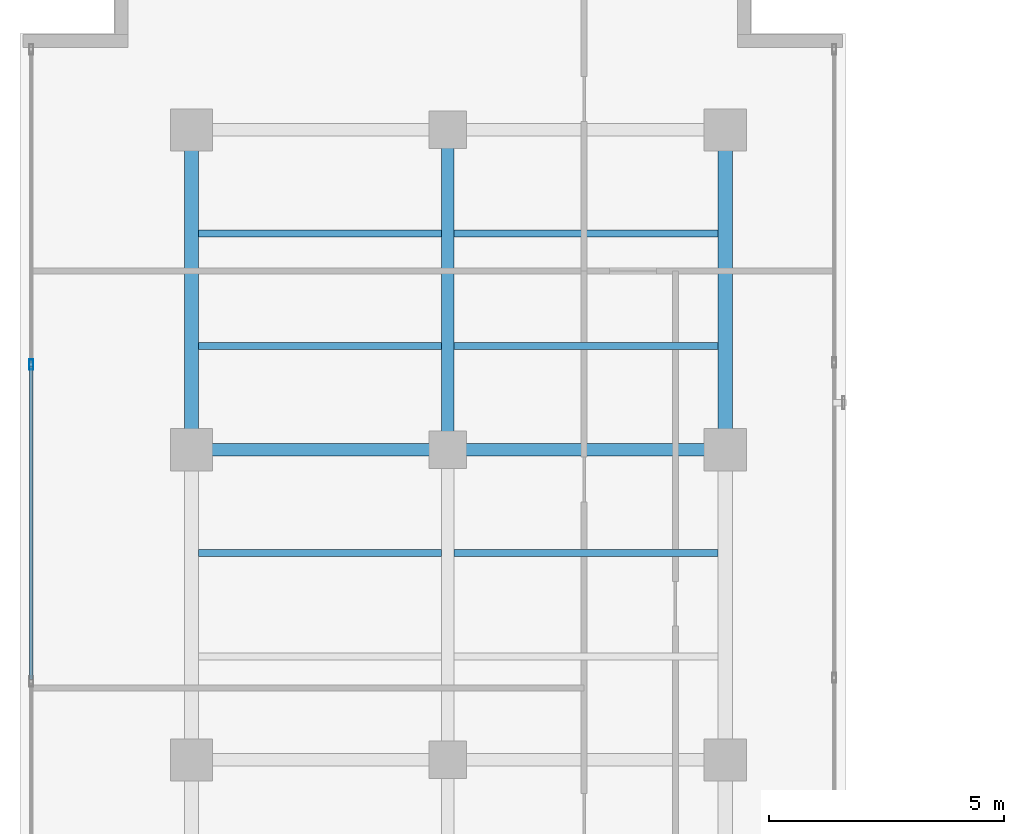
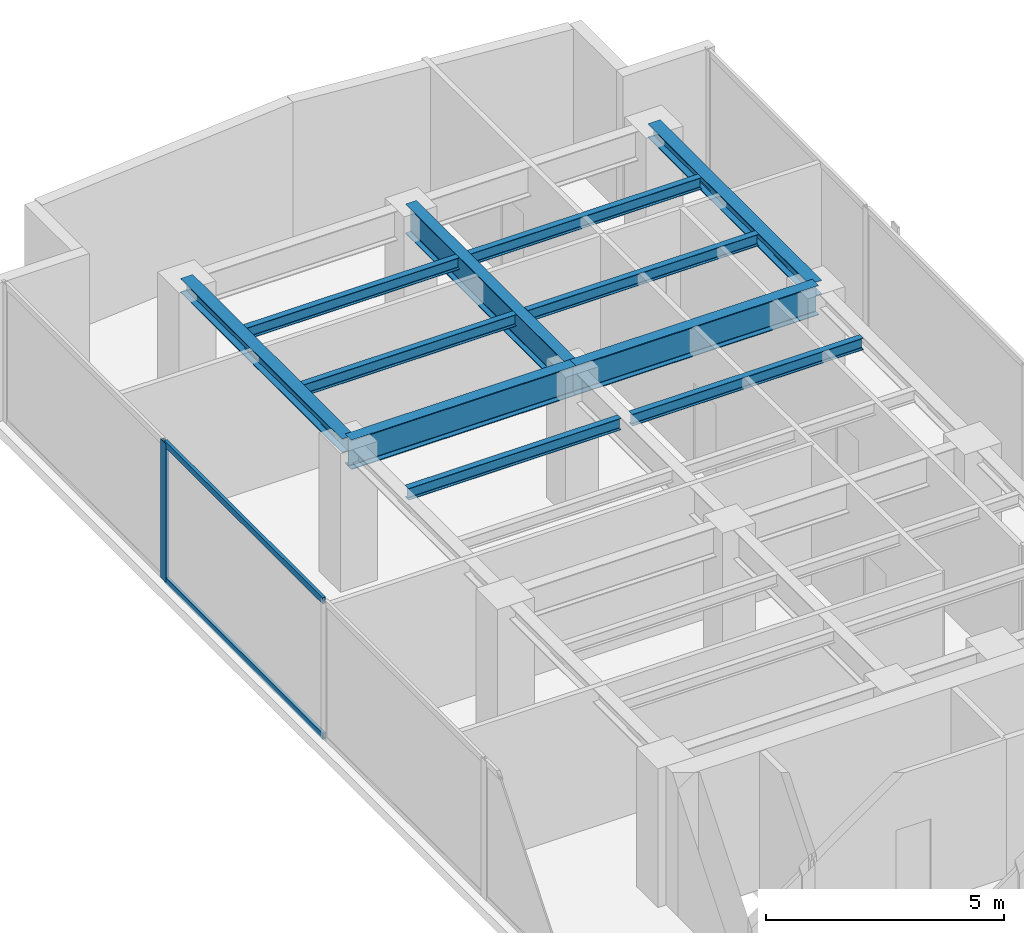
# One storey, part 13 of 22: 11 beams, 3 members, 1 element without a shape of its own.
"""IFC4 building model written with IfcOpenShell, lengths in metres."""

import ifcopenshell
import ifcopenshell.guid

model = None  # the IFC model being written
_history = None  # IfcOwnerHistory: only IFC2X3 demands one
_inside = {}  # id of a spatial element -> (the spatial element, [elements in it])
_under = {}  # id of a project, library or spatial element -> (it, [spatial elements below it])
_declared = {}  # id of a project -> (the project, [libraries it declares])
_typed = {}  # id of a type object -> (the type object, [elements of that type])
_made_of = {}  # id of a material, layer set ... -> (it, [elements and type objects made of it])


def new_model(schema):
    """Start an empty IFC model of exactly this schema.

    Asked for "IFC4X3", IfcOpenShell would pick the latest addendum, in which some entities
    have other attributes; the version numbers below select the first issue.
    IFC2X3 requires an IfcOwnerHistory on every rooted entity: one is made here for all.
    """
    global model, _history
    if schema == "IFC4X3":
        model = ifcopenshell.file(schema_version=(4, 3, 0, 0))
    else:
        model = ifcopenshell.file(schema=schema)
    _inside.clear()
    _under.clear()
    _declared.clear()
    _typed.clear()
    _made_of.clear()
    _history = None
    if model.schema == "IFC2X3":
        org = make("IfcOrganization", Name="unknown")
        user = make(
            "IfcPersonAndOrganization",
            ThePerson=make("IfcPerson", FamilyName="unknown"),
            TheOrganization=org,
        )
        app = make(
            "IfcApplication",
            ApplicationDeveloper=org,
            Version="unknown",
            ApplicationFullName="unknown",
            ApplicationIdentifier="unknown",
        )
        _history = make(
            "IfcOwnerHistory",
            OwningUser=user,
            OwningApplication=app,
            ChangeAction="ADDED",
            CreationDate=0,
        )
    return model


def make(cls, **values):
    """One entity of the class cls with the attributes given. An attribute that is None is left unset."""
    return model.create_entity(
        cls, **{name: value for name, value in values.items() if value is not None}
    )


def rooted(cls, **values):
    """An entity with a GlobalId (a new one), such as an element, a storey or a relation."""
    return make(cls, GlobalId=ifcopenshell.guid.new(), OwnerHistory=_history, **values)


def si_unit(unit_type, name, prefix=None):
    """IfcSIUnit, for example si_unit("LENGTHUNIT", "METRE", prefix="MILLI")."""
    return make("IfcSIUnit", UnitType=unit_type, Prefix=prefix, Name=name)


def assignment(units):
    """IfcUnitAssignment: the units of a project."""
    return None if units is None else make("IfcUnitAssignment", Units=units)


def point(xyz):
    """IfcCartesianPoint."""
    return None if xyz is None else make("IfcCartesianPoint", Coordinates=xyz)


def direction(xyz):
    """IfcDirection."""
    return None if xyz is None else make("IfcDirection", DirectionRatios=xyz)


def frame(location, z_axis=None, x_axis=None):
    """IfcAxis2Placement3D, a coordinate frame: its origin and axes. An axis left out is left unset."""
    return make(
        "IfcAxis2Placement3D",
        Location=point(location),
        Axis=direction(z_axis),
        RefDirection=direction(x_axis),
    )


def frame_2d(location, x_axis=None):
    """IfcAxis2Placement2D, a coordinate frame in the plane: its origin and x axis."""
    return make(
        "IfcAxis2Placement2D", Location=point(location), RefDirection=direction(x_axis)
    )


def origin():
    """The frame at (0, 0, 0) with its axes left unset."""
    return frame((0.0, 0.0, 0.0))


def origin_with_axes():
    """The frame at (0, 0, 0) with the z axis (0, 0, 1) and the x axis (1, 0, 0) written out."""
    return frame((0.0, 0.0, 0.0), z_axis=(0.0, 0.0, 1.0), x_axis=(1.0, 0.0, 0.0))


def origin_2d():
    """The frame at (0, 0) in the plane with its x axis left unset."""
    return frame_2d((0.0, 0.0))


def place(relative_to, where):
    """IfcLocalPlacement: puts the frame where relative to a parent placement (None: the world)."""
    return make(
        "IfcLocalPlacement", PlacementRelTo=relative_to, RelativePlacement=where
    )


def context(
    kind, dimensions, precision=None, world=None, true_north=None, identifier=None
):
    """IfcGeometricRepresentationContext, for example the 3D "Model" context."""
    return make(
        "IfcGeometricRepresentationContext",
        ContextIdentifier=identifier,
        ContextType=kind,
        CoordinateSpaceDimension=dimensions,
        Precision=precision,
        WorldCoordinateSystem=world,
        TrueNorth=true_north,
    )


def subcontext(parent, identifier, kind, view, scale=None):
    """IfcGeometricRepresentationSubContext, for example "Body" below "Model"."""
    return make(
        "IfcGeometricRepresentationSubContext",
        ContextIdentifier=identifier,
        ContextType=kind,
        ParentContext=parent,
        TargetScale=scale,
        TargetView=view,
    )


def project(units=None, contexts=None):
    """IfcProject with its units and contexts."""
    return rooted(
        "IfcProject",
        Name="project",
        RepresentationContexts=contexts,
        UnitsInContext=assignment(units),
    )


def spatial(cls, under=None, at=None, **own):
    """A site, building, storey or space (cls), placed at a placement, below another one or the project."""
    s = rooted(cls, ObjectPlacement=at, **own)
    if under is not None:
        _under.setdefault(under.id(), (under, []))[1].append(s)
    return s


def profile(cls, at=None, kind="AREA", **sizes):
    """A parametric profile (cls). Its sizes go by their IFC names, for example OverallWidth=200.0."""
    return make(cls, ProfileType=kind, Position=at, **sizes)


def hollow_rectangle(**sizes):
    """IfcRectangleHollowProfileDef."""
    return profile("IfcRectangleHollowProfileDef", **sizes)


def i_section(**sizes):
    """IfcIShapeProfileDef."""
    return profile("IfcIShapeProfileDef", **sizes)


def extrude(swept, where, along, depth):
    """IfcExtrudedAreaSolid: the profile swept, set in the frame where, extruded along a direction by depth."""
    return make(
        "IfcExtrudedAreaSolid",
        SweptArea=swept,
        Position=where,
        ExtrudedDirection=direction(along),
        Depth=depth,
    )


def shape(context_of_items, identifier, shape_type, items):
    """IfcShapeRepresentation: the items that make up one representation, for example the "Body"."""
    return make(
        "IfcShapeRepresentation",
        ContextOfItems=context_of_items,
        RepresentationIdentifier=identifier,
        RepresentationType=shape_type,
        Items=items,
    )


def source(mapping_origin, context_of_items, identifier, shape_type, items):
    """IfcRepresentationMap: a shape defined once, which mapped items show again and again."""
    return make(
        "IfcRepresentationMap",
        MappingOrigin=mapping_origin,
        MappedRepresentation=shape(context_of_items, identifier, shape_type, items),
    )


def transform(
    local_origin,
    x_axis=None,
    y_axis=None,
    z_axis=None,
    scale=None,
    scale2=None,
    scale3=None,
    uniform=True,
):
    """IfcCartesianTransformationOperator3D, or its non-uniform kind. x_axis, y_axis, z_axis: its Axis1, 2, 3."""
    if uniform:
        return make(
            "IfcCartesianTransformationOperator3D",
            Axis1=direction(x_axis),
            Axis2=direction(y_axis),
            LocalOrigin=point(local_origin),
            Scale=scale,
            Axis3=direction(z_axis),
        )
    return make(
        "IfcCartesianTransformationOperator3DnonUniform",
        Axis1=direction(x_axis),
        Axis2=direction(y_axis),
        LocalOrigin=point(local_origin),
        Scale=scale,
        Axis3=direction(z_axis),
        Scale2=scale2,
        Scale3=scale3,
    )


def mapped(mapping_source, mapping_target):
    """IfcMappedItem: shows the shape of a source again, moved by a transform."""
    return make(
        "IfcMappedItem", MappingSource=mapping_source, MappingTarget=mapping_target
    )


def material(Name=None, Category=None):
    """IfcMaterial."""
    return make("IfcMaterial", Name=Name, Category=Category)


def layer(
    of_material, thickness, ventilated=None, Name=None, Category=None, Priority=None
):
    """IfcMaterialLayer: one layer of a wall or slab, of a material (None: an air gap)."""
    return make(
        "IfcMaterialLayer",
        Material=of_material,
        LayerThickness=thickness,
        IsVentilated=ventilated,
        Name=Name,
        Category=Category,
        Priority=Priority,
    )


def layer_set(layers, Name=None):
    """IfcMaterialLayerSet."""
    return make("IfcMaterialLayerSet", MaterialLayers=layers, LayerSetName=Name)


def material_profile(
    of_material, cross_section, Name=None, Category=None, Priority=None
):
    """IfcMaterialProfile: a cross section and its material."""
    return make(
        "IfcMaterialProfile",
        Name=Name,
        Material=of_material,
        Profile=cross_section,
        Priority=Priority,
        Category=Category,
    )


def profile_set(profiles, Name=None, composite=None):
    """IfcMaterialProfileSet."""
    return make(
        "IfcMaterialProfileSet",
        Name=Name,
        MaterialProfiles=profiles,
        CompositeProfile=composite,
    )


def made_of(thing, what):
    """Note that an element or type object is made of a material, layer set ...; save() writes the relation."""
    if what is not None:
        _made_of.setdefault(what.id(), (what, []))[1].append(thing)
    return thing


def type_object(cls, material=None, **own):
    """A type object (cls), such as IfcWallType, which elements share."""
    return made_of(rooted(cls, **own), material)


def element(
    cls,
    number,
    at=None,
    inside=None,
    cuts=None,
    type_object=None,
    material=None,
    context=None,
    identifier="Body",
    shape_type=None,
    held_by="IfcProductDefinitionShape",
    body=None,
    shapes=None,
    **own,
):
    """One element of the class cls, such as IfcWall. Its Tag is "e" and its number.

    at: its placement. inside: the storey or other place that contains it. cuts: it is an
    opening in that element (IfcRelVoidsElement). A single representation is given by context,
    identifier, shape_type and body (its items); several are given by shapes. held_by: the class
    of the entity that holds the representations. save() writes the other relations.
    """
    e = rooted(cls, Tag="e%d" % number, ObjectPlacement=at, **own)
    if body is not None:
        shapes = [shape(context, identifier, shape_type, body)]
    if shapes is not None:
        e.Representation = make(held_by, Representations=shapes)
    if inside is not None:
        _inside.setdefault(inside.id(), (inside, []))[1].append(e)
    if cuts is not None:
        rooted(
            "IfcRelVoidsElement", RelatingBuildingElement=cuts, RelatedOpeningElement=e
        )
    if type_object is not None:
        _typed.setdefault(type_object.id(), (type_object, []))[1].append(e)
    return made_of(e, material)


def aggregate(whole, parts):
    """IfcRelAggregates: a whole, such as a stair, and the parts it consists of."""
    return rooted("IfcRelAggregates", RelatingObject=whole, RelatedObjects=parts)


def save(model, path):
    """Write the relations noted so far, then the file.

    IfcRelAggregates (storeys below a building ...), IfcRelContainedInSpatialStructure (elements
    in a storey), IfcRelDefinesByType, IfcRelAssociatesMaterial and IfcRelDeclares: one each for
    every whole, place, type object, material and project.
    """
    for whole, parts in _under.values():
        aggregate(whole, parts)
    for where, things in _inside.values():
        rooted(
            "IfcRelContainedInSpatialStructure",
            RelatedElements=things,
            RelatingStructure=where,
        )
    for kind, things in _typed.values():
        rooted("IfcRelDefinesByType", RelatedObjects=things, RelatingType=kind)
    for what, things in _made_of.values():
        rooted("IfcRelAssociatesMaterial", RelatedObjects=things, RelatingMaterial=what)
    for by, libraries in _declared.values():
        rooted("IfcRelDeclares", RelatingContext=by, RelatedDefinitions=libraries)
    model.write(path)


model = new_model("IFC4")

# Units and contexts
model_context = context("Model", 3, precision=1e-05, world=origin(), true_north=direction((0.0, 1.0)))
body_context = subcontext(model_context, "Body", "Model", "MODEL_VIEW")
ifc_project = project(units=[si_unit("LENGTHUNIT", "METRE"), si_unit("AREAUNIT", "SQUARE_METRE"), si_unit("VOLUMEUNIT", "CUBIC_METRE"), si_unit("PLANEANGLEUNIT", "RADIAN"), si_unit("MASSUNIT", "GRAM", prefix="KILO")], contexts=[model_context])

# Site, building, storey
site_placement = place(None, origin())
site = spatial("IfcSite", under=ifc_project, at=site_placement, CompositionType="ELEMENT")
building_placement = place(site_placement, origin())
building = spatial("IfcBuilding", under=site, at=building_placement, Name="Kolvaren Waterfront Exchange", CompositionType="ELEMENT")
storey_placement = place(building_placement, frame((0.0, 0.0, 278.0)))
storey = spatial("IfcBuildingStorey", under=building, at=storey_placement, Name="L71", CompositionType="ELEMENT", Elevation=278.0)

# Beams
ifc_material_1 = material(Name="Steel S355", Category="steel")
ifc_material_profile_1 = material_profile(ifc_material_1, i_section(OverallWidth=0.300048828125, OverallDepth=0.360107421875, WebThickness=0.012451171875, FlangeThickness=0.0224609375, FilletRadius=0.027099609375, at=origin_2d()), Name="HEB360")
ifc_profile_set_1 = profile_set([ifc_material_profile_1], Name="Steel S355")
beam_type_1 = type_object("IfcBeamType", Name="STR-BM-HEB360", PredefinedType="SPANDREL", material=ifc_profile_set_1)
for number, where, z_axis, x_axis, name in (
    (1, (7.449951171875, 37.800048828125, 3.3798828125), (0.0, 1.0, 0.0), (-1.0, 0.0, 0.0), "L71 north-arm edge beam 3"),
    (2, (18.800048828125, 37.800048828125, 3.3798828125), (0.0, 1.0, 0.0), (-1.0, 0.0, 0.0), "L71 north-arm edge beam 3"),
):
    element("IfcBeam", number, at=place(storey_placement, frame(where, z_axis=z_axis, x_axis=x_axis)), inside=storey, type_object=beam_type_1, Name=name, PredefinedType="SPANDREL", context=body_context, shape_type="SweptSolid", body=[
        extrude(i_section(OverallWidth=0.300048828125, OverallDepth=0.360107421875, WebThickness=0.012451171875, FlangeThickness=0.0224609375, FilletRadius=0.027099609375, at=origin_2d()), origin(), (0.0, 0.0, 1.0), 6.800048828125),
    ])
ifc_material_profile_2 = material_profile(ifc_material_1, i_section(OverallWidth=0.14990234375, OverallDepth=0.300048828125, WebThickness=0.007080078125, FlangeThickness=0.0107421875, FilletRadius=0.014892578125, at=origin_2d()), Name="IPE300")
ifc_profile_set_2 = profile_set([ifc_material_profile_2], Name="Steel S355")
beam_type_2 = type_object("IfcBeamType", Name="STR-BM-IPE300", PredefinedType="JOIST", material=ifc_profile_set_2)
beam_1_placement = place(storey_placement, frame((7.60205078125, 35.60009765625, 3.409912109375), z_axis=(1.0, 0.0, 0.0), x_axis=(0.0, 1.0, 0.0)))
element("IfcBeam", 3, at=beam_1_placement, inside=storey, type_object=beam_type_2, Name="L71 north-arm composite joist 4A", PredefinedType="JOIST", context=body_context, shape_type="SweptSolid", body=[
    extrude(i_section(OverallWidth=0.14990234375, OverallDepth=0.300048828125, WebThickness=0.007080078125, FlangeThickness=0.0107421875, FilletRadius=0.014892578125, at=origin_2d()), origin(), (0.0, 0.0, 1.0), 5.162353515625),
])
beam_2_placement = place(storey_placement, frame((13.035400390625, 35.60009765625, 3.409912109375), z_axis=(1.0, 0.0, 0.0), x_axis=(0.0, 1.0, 0.0)))
element("IfcBeam", 4, at=beam_2_placement, inside=storey, type_object=beam_type_2, Name="L71 north-arm composite joist 4B", PredefinedType="JOIST", context=body_context, shape_type="SweptSolid", body=[
    extrude(i_section(OverallWidth=0.14990234375, OverallDepth=0.300048828125, WebThickness=0.007080078125, FlangeThickness=0.0107421875, FilletRadius=0.014892578125, at=origin_2d()), origin(), (0.0, 0.0, 1.0), 5.612548828125),
])
beam_3_placement = place(storey_placement, frame((7.60205078125, 40.0, 3.409912109375), z_axis=(1.0, 0.0, 0.0), x_axis=(0.0, 1.0, 0.0)))
element("IfcBeam", 5, at=beam_3_placement, inside=storey, type_object=beam_type_2, Name="L71 north-arm composite joist 5A", PredefinedType="JOIST", context=body_context, shape_type="SweptSolid", body=[
    extrude(i_section(OverallWidth=0.14990234375, OverallDepth=0.300048828125, WebThickness=0.007080078125, FlangeThickness=0.0107421875, FilletRadius=0.014892578125, at=origin_2d()), origin(), (0.0, 0.0, 1.0), 5.162353515625),
])
beam_4_placement = place(storey_placement, frame((13.035400390625, 40.0, 3.409912109375), z_axis=(1.0, 0.0, 0.0), x_axis=(0.0, 1.0, 0.0)))
element("IfcBeam", 6, at=beam_4_placement, inside=storey, type_object=beam_type_2, Name="L71 north-arm composite joist 5B", PredefinedType="JOIST", context=body_context, shape_type="SweptSolid", body=[
    extrude(i_section(OverallWidth=0.14990234375, OverallDepth=0.300048828125, WebThickness=0.007080078125, FlangeThickness=0.0107421875, FilletRadius=0.014892578125, at=origin_2d()), origin(), (0.0, 0.0, 1.0), 5.612548828125),
])
beam_5_placement = place(storey_placement, frame((7.60205078125, 42.39990234375, 3.409912109375), z_axis=(1.0, 0.0, 0.0), x_axis=(0.0, 1.0, 0.0)))
element("IfcBeam", 7, at=beam_5_placement, inside=storey, type_object=beam_type_2, Name="L71 north-arm composite joist 6A", PredefinedType="JOIST", context=body_context, shape_type="SweptSolid", body=[
    extrude(i_section(OverallWidth=0.14990234375, OverallDepth=0.300048828125, WebThickness=0.007080078125, FlangeThickness=0.0107421875, FilletRadius=0.014892578125, at=origin_2d()), origin(), (0.0, 0.0, 1.0), 5.162353515625),
])
beam_6_placement = place(storey_placement, frame((13.035400390625, 42.39990234375, 3.409912109375), z_axis=(1.0, 0.0, 0.0), x_axis=(0.0, 1.0, 0.0)))
element("IfcBeam", 8, at=beam_6_placement, inside=storey, type_object=beam_type_2, Name="L71 north-arm composite joist 6B", PredefinedType="JOIST", context=body_context, shape_type="SweptSolid", body=[
    extrude(i_section(OverallWidth=0.14990234375, OverallDepth=0.300048828125, WebThickness=0.007080078125, FlangeThickness=0.0107421875, FilletRadius=0.014892578125, at=origin_2d()), origin(), (0.0, 0.0, 1.0), 5.612548828125),
])
ifc_material_profile_3 = material_profile(ifc_material_1, i_section(OverallWidth=0.26708984375, OverallDepth=0.761962890625, WebThickness=0.014404296875, FlangeThickness=0.021484375, FilletRadius=0.01708984375, at=origin_2d()), Name="IPE750x173")
ifc_profile_set_3 = profile_set([ifc_material_profile_3], Name="Steel S355")
beam_type_3 = type_object("IfcBeamType", Name="STR-BM-IPE750", PredefinedType="BEAM", material=ifc_profile_set_3)
beam_7_placement = place(storey_placement, frame((7.449951171875, 37.800048828125, 3.178955078125), z_axis=(1.0, 0.0, 0.0), x_axis=(0.0, 1.0, 0.0)))
element("IfcBeam", 9, at=beam_7_placement, inside=storey, type_object=beam_type_3, Name="L71 north-arm girder 3A", PredefinedType="BEAM", context=body_context, shape_type="SweptSolid", body=[
    extrude(i_section(OverallWidth=0.26708984375, OverallDepth=0.761962890625, WebThickness=0.014404296875, FlangeThickness=0.021484375, FilletRadius=0.01708984375, at=origin_2d()), origin(), (0.0, 0.0, 1.0), 5.449951171875),
])
beam_8_placement = place(storey_placement, frame((12.89990234375, 37.800048828125, 3.178955078125), z_axis=(1.0, 0.0, 0.0), x_axis=(0.0, 1.0, 0.0)))
element("IfcBeam", 10, at=beam_8_placement, inside=storey, type_object=beam_type_3, Name="L71 north-arm girder 3B", PredefinedType="BEAM", context=body_context, shape_type="SweptSolid", body=[
    extrude(i_section(OverallWidth=0.26708984375, OverallDepth=0.761962890625, WebThickness=0.014404296875, FlangeThickness=0.021484375, FilletRadius=0.01708984375, at=origin_2d()), origin(), (0.0, 0.0, 1.0), 5.900146484375),
])
beam_9_placement = place(storey_placement, frame((12.89990234375, 37.800048828125, 3.178955078125), z_axis=(0.0, 1.0, 0.0), x_axis=(-1.0, 0.0, 0.0)))
element("IfcBeam", 11, at=beam_9_placement, inside=storey, type_object=beam_type_3, Name="L71 north-arm edge beam 3", PredefinedType="BEAM", context=body_context, shape_type="SweptSolid", body=[
    extrude(i_section(OverallWidth=0.26708984375, OverallDepth=0.761962890625, WebThickness=0.014404296875, FlangeThickness=0.021484375, FilletRadius=0.01708984375, at=origin_2d()), origin(), (0.0, 0.0, 1.0), 6.800048828125),
])

# Curtain wall, members
ifc_material_2 = material(Name="Anodised aluminium 6063-T6", Category="aluminium")
ifc_layer = layer(ifc_material_2, 0.219970703125, Name="Anodised aluminium 6063-T6")
ifc_layer_set = layer_set([ifc_layer], Name="Anodised aluminium 6063-T6")
curtain_wall_type = type_object("IfcCurtainWallType", Name="ARC-CW-SYS2", PredefinedType="USERDEFINED", material=ifc_layer_set)
curtain_wall_placement = place(storey_placement, origin())
curtain_wall = element("IfcCurtainWall", 12, at=curtain_wall_placement, inside=storey, type_object=curtain_wall_type, Name="L71 stick curtain wall CW2 (CW-L71-W)", ObjectType="STICK CURTAIN WALL", PredefinedType="USERDEFINED")
ifc_material_profile_4 = material_profile(ifc_material_2, hollow_rectangle(XDim=0.080078125, YDim=0.219970703125, WallThickness=0.0048828125, at=origin_2d()), Name="ALU-MUL-220x80x5")
ifc_profile_set_4 = profile_set([ifc_material_profile_4], Name="Anodised aluminium 6063-T6")
member_type_1 = type_object("IfcMemberType", Name="ARC-CWM-220", PredefinedType="MULLION", material=ifc_profile_set_4)
shared_shape_1 = source(origin_with_axes(), body_context, "Body", "SweptSolid", [
    extrude(hollow_rectangle(XDim=0.080078125, YDim=0.219970703125, WallThickness=0.0048828125, at=origin_2d()), origin(), (0.0, 0.0, 1.0), 3.56005859375),
])
member_1_placement = place(storey_placement, frame((4.0400390625, 39.610595703125, 0.0), z_axis=(0.0, 0.0, 1.0), x_axis=(-1.0, 0.0, 0.0)))
member_1 = element("IfcMember", 13, at=member_1_placement, type_object=member_type_1, Name="CW2 mullion 6", PredefinedType="MULLION", context=body_context, shape_type="MappedRepresentation", body=[
    mapped(shared_shape_1, transform((0.0, 0.0, 0.0), x_axis=(1.0, 0.0, 0.0), y_axis=(0.0, 1.0, 0.0), z_axis=(0.0, 0.0, 1.0), scale=1.0)),
])
ifc_material_profile_5 = material_profile(ifc_material_2, hollow_rectangle(XDim=0.074951171875, YDim=0.159912109375, WallThickness=0.00439453125, at=origin_2d()), Name="ALU-TRN-160x75x4.5")
ifc_profile_set_5 = profile_set([ifc_material_profile_5], Name="Anodised aluminium 6063-T6")
member_type_2 = type_object("IfcMemberType", Name="ARC-CWT-160", PredefinedType="USERDEFINED", material=ifc_profile_set_5)
shared_shape_2 = source(origin_with_axes(), body_context, "Body", "SweptSolid", [
    extrude(hollow_rectangle(XDim=0.074951171875, YDim=0.159912109375, WallThickness=0.00439453125, at=origin_2d()), origin(), (0.0, 0.0, 1.0), 6.662109375),
])
member_2_placement = place(storey_placement, frame((4.0400390625, 32.908447265625, 0.03759765625), z_axis=(0.0, 1.0, 0.0), x_axis=(-1.0, 0.0, 0.0)))
member_2 = element("IfcMember", 14, at=member_2_placement, type_object=member_type_2, Name="CW2 transom 5.1", ObjectType="TRANSOM", PredefinedType="USERDEFINED", context=body_context, shape_type="MappedRepresentation", body=[
    mapped(shared_shape_2, transform((0.0, 0.0, 0.0), x_axis=(1.0, 0.0, 0.0), y_axis=(0.0, 1.0, 0.0), z_axis=(0.0, 0.0, 1.0), scale=1.0)),
])
member_3_placement = place(storey_placement, frame((4.0400390625, 32.908447265625, 3.5224609375), z_axis=(0.0, 1.0, 0.0), x_axis=(-1.0, 0.0, 0.0)))
member_3 = element("IfcMember", 15, at=member_3_placement, type_object=member_type_2, Name="CW2 transom 5.2", ObjectType="TRANSOM", PredefinedType="USERDEFINED", context=body_context, shape_type="MappedRepresentation", body=[
    mapped(shared_shape_2, transform((0.0, 0.0, 0.0), x_axis=(1.0, 0.0, 0.0), y_axis=(0.0, 1.0, 0.0), z_axis=(0.0, 0.0, 1.0), scale=1.0)),
])
aggregate(curtain_wall, [member_1, member_2, member_3])

save(model, "model.ifc")
